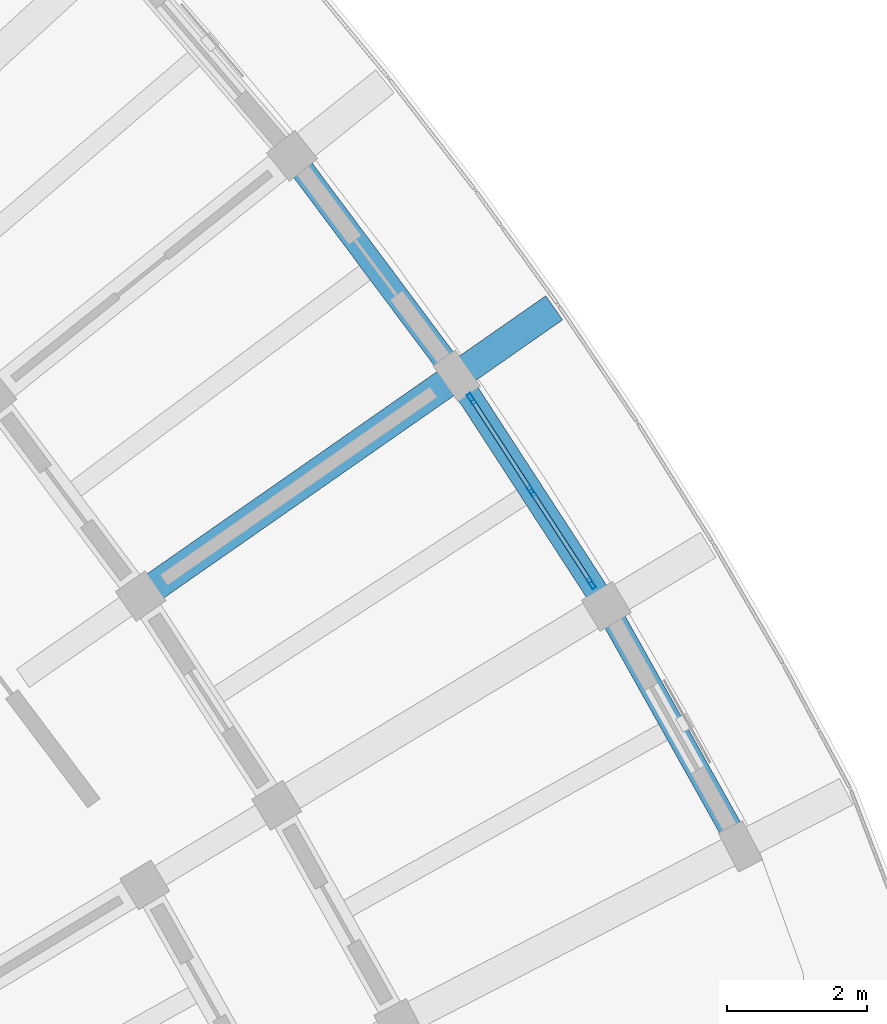
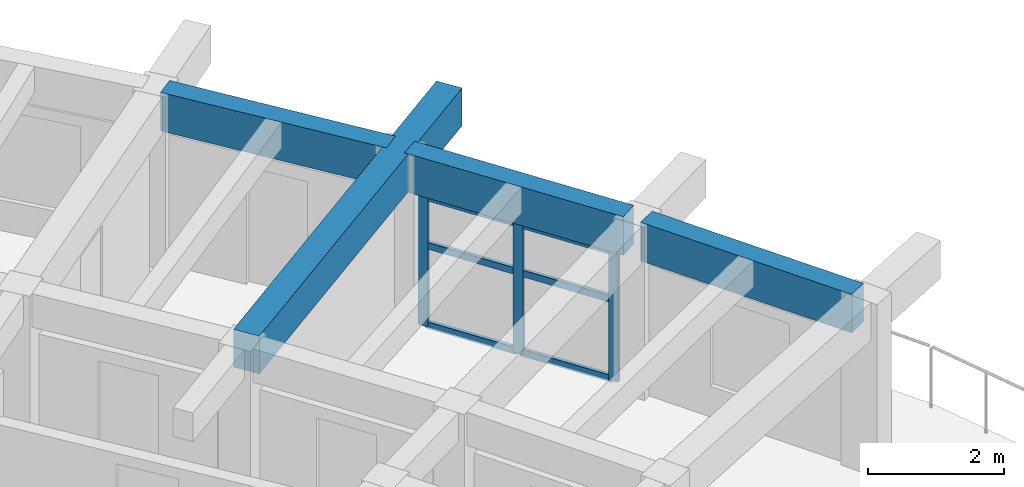
# One storey, part 11 of 36: 9 members, 4 beams, 1 element without a shape of its own.
"""IFC4 building model written with IfcOpenShell, lengths in metres."""

from ifc_helpers import new_model, si_unit, direction, frame, origin, origin_2d, place, context, subcontext, project, spatial, rectangle, hollow_rectangle, extrude, material, material_profile, profile_set, type_object, element, aggregate, save


model = new_model("IFC4")

# Units and contexts
model_context = context("Model", 3, precision=1e-05, world=origin(), true_north=direction((0.0, 1.0)))
body_context = subcontext(model_context, "Body", "Model", "MODEL_VIEW")
ifc_project = project(units=[si_unit("LENGTHUNIT", "METRE"), si_unit("AREAUNIT", "SQUARE_METRE"), si_unit("VOLUMEUNIT", "CUBIC_METRE"), si_unit("PLANEANGLEUNIT", "RADIAN"), si_unit("MASSUNIT", "GRAM", prefix="KILO")], contexts=[model_context])

# Site, building, storey
site_placement = place(None, origin())
site = spatial("IfcSite", under=ifc_project, at=site_placement, CompositionType="ELEMENT")
building_placement = place(site_placement, origin())
building = spatial("IfcBuilding", under=site, at=building_placement, Name="Tanwirah Colonnade Gardens", CompositionType="ELEMENT")
storey_placement = place(building_placement, frame((0.0, 0.0, 39.080078125)))
storey = spatial("IfcBuildingStorey", under=building, at=storey_placement, Name="L11", CompositionType="ELEMENT", Elevation=39.080078125)

# Beam
ifc_material_1 = material(Name="Precast concrete C45/55", Category="concrete")
ifc_material_profile_1 = material_profile(ifc_material_1, rectangle(XDim=0.419921875, YDim=0.679931640625, at=origin_2d()), Name="PC-BM 420x680")
ifc_profile_set_1 = profile_set([ifc_material_profile_1], Name="Precast concrete C45/55")
beam_type_1 = type_object("IfcBeamType", Name="BM-PC420", PredefinedType="BEAM", material=ifc_profile_set_1)
beam_placement = place(storey_placement, frame((165.458251953125, 91.20166015625, 2.780029296875), z_axis=(0.820270158139, 0.571976282433, 0.0), x_axis=(-0.571976282433, 0.820270158139, 0.0)))
element("IfcBeam", 1, at=beam_placement, inside=storey, type_object=beam_type_1, Name="Block B L11 Outer Radial Precast Girder 5", PredefinedType="BEAM", context=body_context, shape_type="SweptSolid", body=[
    extrude(rectangle(XDim=0.419921875, YDim=0.679931640625, at=origin_2d()), origin(), (0.0, 0.0, 1.0), 7.050048828125),
])

# Curtain wall, members
ifc_material_2 = material(Name="Bronze-anodised aluminium and solar-control low-E glass", Category="aluminium")
curtain_wall_type = type_object("IfcCurtainWallType", Name="CW-LOB", PredefinedType="NOTDEFINED", material=ifc_material_2)
curtain_wall_placement = place(storey_placement, origin())
curtain_wall = element("IfcCurtainWall", 2, at=curtain_wall_placement, inside=storey, type_object=curtain_wall_type, Name="Curtain Wall CW-B-L11-OUT-04", PredefinedType="NOTDEFINED")
ifc_material_3 = material(Name="Bronze-anodised aluminium", Category="aluminium")
ifc_material_profile_2 = material_profile(ifc_material_3, hollow_rectangle(XDim=0.06005859375, YDim=0.159912109375, WallThickness=0.00390625, at=origin_2d()), Name="CW-MUL 60x160x4")
ifc_profile_set_2 = profile_set([ifc_material_profile_2], Name="Bronze-anodised aluminium")
member_type_1 = type_object("IfcMemberType", Name="CWM-60x160", PredefinedType="MULLION", material=ifc_profile_set_2)
member_1_placement = place(storey_placement, frame((171.772216796875, 91.296630859375, 0.0), z_axis=(0.0, 0.0, 1.0), x_axis=(-0.838669898607, -0.544640065704, 0.0)))
member_1 = element("IfcMember", 3, at=member_1_placement, type_object=member_type_1, Name="CW-LOB mullion 1", PredefinedType="MULLION", context=body_context, shape_type="SweptSolid", body=[
    extrude(hollow_rectangle(XDim=0.06005859375, YDim=0.159912109375, WallThickness=0.00390625, at=origin_2d()), origin(), (0.0, 0.0, 1.0), 2.35498046875),
])
member_2_placement = place(storey_placement, frame((170.915771484375, 92.61572265625, 0.0), z_axis=(0.0, 0.0, 1.0), x_axis=(-0.838669898607, -0.544640065704, 0.0)))
member_2 = element("IfcMember", 4, at=member_2_placement, type_object=member_type_1, Name="CW-LOB mullion 2", PredefinedType="MULLION", context=body_context, shape_type="SweptSolid", body=[
    extrude(hollow_rectangle(XDim=0.06005859375, YDim=0.159912109375, WallThickness=0.00390625, at=origin_2d()), origin(), (0.0, 0.0, 1.0), 2.35498046875),
])
member_3_placement = place(storey_placement, frame((170.05908203125, 93.934814453125, 0.0), z_axis=(0.0, 0.0, 1.0), x_axis=(-0.838669898607, -0.544640065704, 0.0)))
member_3 = element("IfcMember", 5, at=member_3_placement, type_object=member_type_1, Name="CW-LOB mullion 3", PredefinedType="MULLION", context=body_context, shape_type="SweptSolid", body=[
    extrude(hollow_rectangle(XDim=0.06005859375, YDim=0.159912109375, WallThickness=0.00390625, at=origin_2d()), origin(), (0.0, 0.0, 1.0), 2.35498046875),
])
ifc_material_profile_3 = material_profile(ifc_material_3, hollow_rectangle(XDim=0.06005859375, YDim=0.1201171875, WallThickness=0.00390625, at=origin_2d()), Name="CW-TRN 60x120x4")
ifc_profile_set_3 = profile_set([ifc_material_profile_3], Name="Bronze-anodised aluminium")
member_type_2 = type_object("IfcMemberType", Name="CWT-60x120", PredefinedType="USERDEFINED", material=ifc_profile_set_3)
member_4_placement = place(storey_placement, frame((171.756103515625, 91.32177734375, 0.030029296875), z_axis=(-0.544642296975, 0.838668449595, 0.0), x_axis=(-0.838668449595, -0.544642296975, 0.0)))
member_4 = element("IfcMember", 6, at=member_4_placement, type_object=member_type_2, Name="CW-LOB transom 1.1", ObjectType="TRANSOM", PredefinedType="USERDEFINED", context=body_context, shape_type="SweptSolid", body=[
    extrude(hollow_rectangle(XDim=0.06005859375, YDim=0.1201171875, WallThickness=0.00390625, at=origin_2d()), origin(), (0.0, 0.0, 1.0), 1.512939453125),
])
member_5_placement = place(storey_placement, frame((171.756103515625, 91.32177734375, 1.4599609375), z_axis=(-0.544642296975, 0.838668449595, 0.0), x_axis=(-0.838668449595, -0.544642296975, 0.0)))
member_5 = element("IfcMember", 7, at=member_5_placement, type_object=member_type_2, Name="CW-LOB transom 1.2", ObjectType="TRANSOM", PredefinedType="USERDEFINED", context=body_context, shape_type="SweptSolid", body=[
    extrude(hollow_rectangle(XDim=0.06005859375, YDim=0.1201171875, WallThickness=0.00390625, at=origin_2d()), origin(), (0.0, 0.0, 1.0), 1.512939453125),
])
member_6_placement = place(storey_placement, frame((171.756103515625, 91.32177734375, 2.324951171875), z_axis=(-0.544642296975, 0.838668449595, 0.0), x_axis=(-0.838668449595, -0.544642296975, 0.0)))
member_6 = element("IfcMember", 8, at=member_6_placement, type_object=member_type_2, Name="CW-LOB transom 1.3", ObjectType="TRANSOM", PredefinedType="USERDEFINED", context=body_context, shape_type="SweptSolid", body=[
    extrude(hollow_rectangle(XDim=0.06005859375, YDim=0.1201171875, WallThickness=0.00390625, at=origin_2d()), origin(), (0.0, 0.0, 1.0), 1.512939453125),
])
member_7_placement = place(storey_placement, frame((170.8994140625, 92.640869140625, 0.030029296875), z_axis=(-0.544642296975, 0.838668449595, 0.0), x_axis=(-0.838668449595, -0.544642296975, 0.0)))
member_7 = element("IfcMember", 9, at=member_7_placement, type_object=member_type_2, Name="CW-LOB transom 2.1", ObjectType="TRANSOM", PredefinedType="USERDEFINED", context=body_context, shape_type="SweptSolid", body=[
    extrude(hollow_rectangle(XDim=0.06005859375, YDim=0.1201171875, WallThickness=0.00390625, at=origin_2d()), origin(), (0.0, 0.0, 1.0), 1.512939453125),
])
member_8_placement = place(storey_placement, frame((170.8994140625, 92.640869140625, 1.4599609375), z_axis=(-0.544642296975, 0.838668449595, 0.0), x_axis=(-0.838668449595, -0.544642296975, 0.0)))
member_8 = element("IfcMember", 10, at=member_8_placement, type_object=member_type_2, Name="CW-LOB transom 2.2", ObjectType="TRANSOM", PredefinedType="USERDEFINED", context=body_context, shape_type="SweptSolid", body=[
    extrude(hollow_rectangle(XDim=0.06005859375, YDim=0.1201171875, WallThickness=0.00390625, at=origin_2d()), origin(), (0.0, 0.0, 1.0), 1.512939453125),
])
member_9_placement = place(storey_placement, frame((170.8994140625, 92.640869140625, 2.324951171875), z_axis=(-0.544642296975, 0.838668449595, 0.0), x_axis=(-0.838668449595, -0.544642296975, 0.0)))
member_9 = element("IfcMember", 11, at=member_9_placement, type_object=member_type_2, Name="CW-LOB transom 2.3", ObjectType="TRANSOM", PredefinedType="USERDEFINED", context=body_context, shape_type="SweptSolid", body=[
    extrude(hollow_rectangle(XDim=0.06005859375, YDim=0.1201171875, WallThickness=0.00390625, at=origin_2d()), origin(), (0.0, 0.0, 1.0), 1.512939453125),
])
aggregate(curtain_wall, [member_1, member_2, member_3, member_4, member_5, member_6, member_7, member_8, member_9])

# Beams
ifc_material_4 = material(Name="Precast concrete C40/50", Category="concrete")
ifc_material_profile_4 = material_profile(ifc_material_4, rectangle(XDim=0.3349609375, YDim=0.695068359375, at=origin_2d()), Name="PC-SP 335x695")
ifc_profile_set_4 = profile_set([ifc_material_profile_4], Name="Precast concrete C40/50")
beam_type_2 = type_object("IfcBeamType", Name="SP-PC300", PredefinedType="SPANDREL", material=ifc_profile_set_4)
for number, where, z_axis, x_axis, name in (
    (12, (173.828125, 87.67431640625, 2.7724609375), (-0.488236312193, 0.872711466326, 0.0), (-0.872711466326, -0.488236312193, 0.0), "Block B L11 Circumferential Beam 3-R3"),
    (13, (171.903076171875, 91.09521484375, 2.7724609375), (-0.544621436184, 0.838681996497, 0.0), (-0.838681996497, -0.544621436184, 0.0), "Block B L11 Circumferential Beam 4-R3"),
    (14, (169.7568359375, 94.382080078125, 2.7724609375), (-0.598695554058, 0.800976674786, 0.0), (-0.800976674786, -0.598695554058, 0.0), "Block B L11 Circumferential Beam 5-R3"),
):
    element("IfcBeam", number, at=place(storey_placement, frame(where, z_axis=z_axis, x_axis=x_axis)), inside=storey, type_object=beam_type_2, Name=name, PredefinedType="SPANDREL", context=body_context, shape_type="SweptSolid", body=[
        extrude(rectangle(XDim=0.3349609375, YDim=0.695068359375, at=origin_2d()), origin(), (0.0, 0.0, 1.0), 3.625732421875),
    ])

save(model, "model.ifc")
